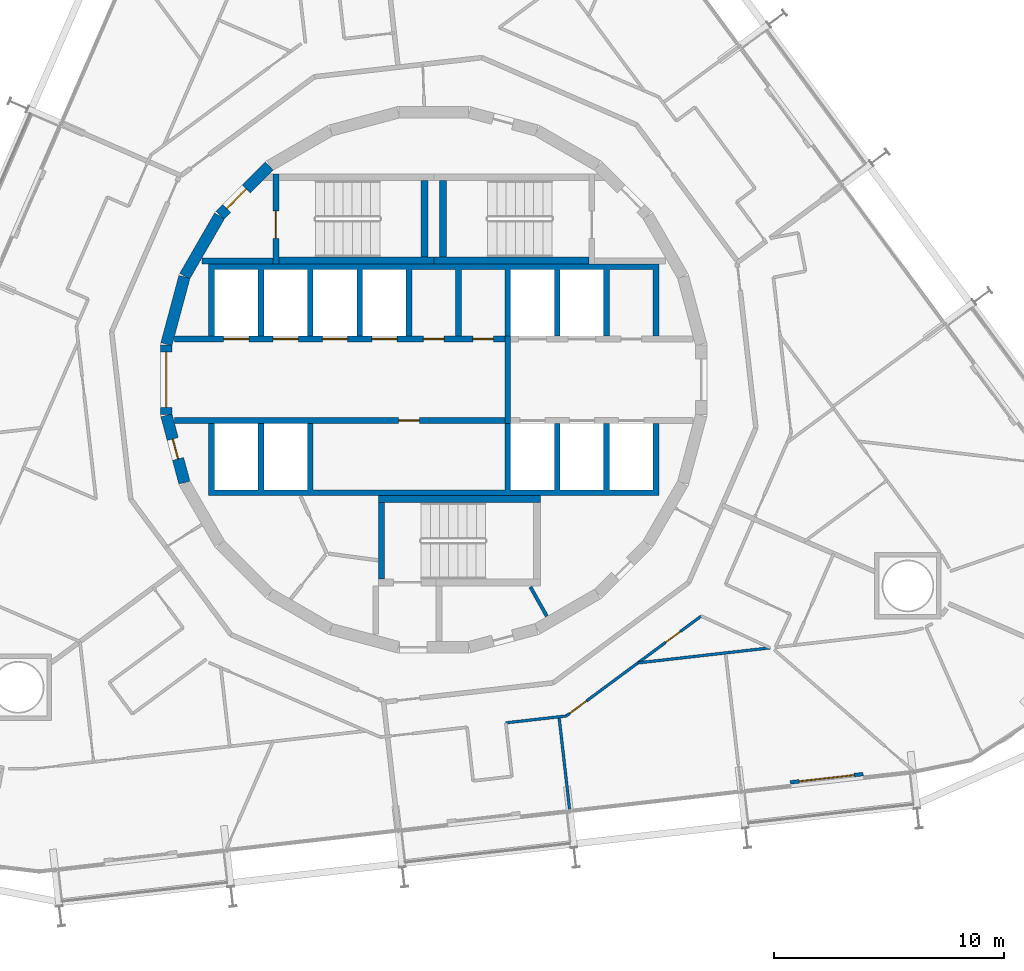
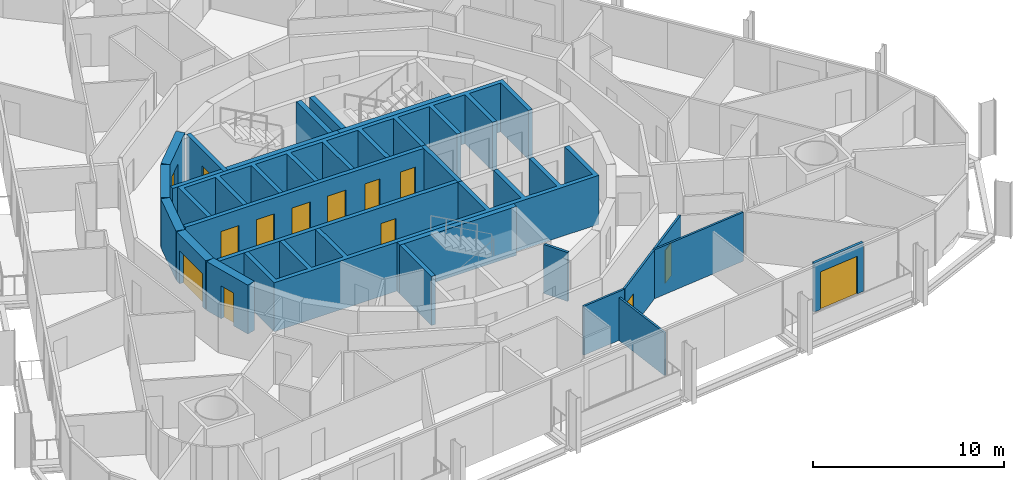
# One storey, part 18 of 24: 24 walls, 14 doors, 14 openings.
"""IFC4 building model written with IfcOpenShell, lengths in metres."""

from ifc_helpers import new_model, si_unit, direction, frame, frame_2d, origin, place, context, subcontext, project, spatial, polyline, rectangle, outline, extrude, material, layer, layer_set, type_object, element, fill, save


model = new_model("IFC4")

# Units and contexts
model_context = context("Model", 3, precision=1e-05, world=origin(), true_north=direction((0.0, 1.0)))
body_context = subcontext(model_context, "Body", "Model", "MODEL_VIEW")
ifc_project = project(units=[si_unit("LENGTHUNIT", "METRE"), si_unit("AREAUNIT", "SQUARE_METRE"), si_unit("VOLUMEUNIT", "CUBIC_METRE"), si_unit("PLANEANGLEUNIT", "RADIAN"), si_unit("MASSUNIT", "GRAM", prefix="KILO")], contexts=[model_context])

# Site, building, storey
site_placement = place(None, origin())
site = spatial("IfcSite", under=ifc_project, at=site_placement, CompositionType="ELEMENT")
building_placement = place(site_placement, origin())
building = spatial("IfcBuilding", under=site, at=building_placement, Name="Spindle Arch Residences", CompositionType="ELEMENT")
storey_placement = place(building_placement, frame((0.0, 0.0, 94.199951171875)))
storey = spatial("IfcBuildingStorey", under=building, at=storey_placement, Name="L22", CompositionType="ELEMENT", Elevation=94.199951171875)

# Wall, opening, door
ifc_material_1 = material(Name="Concrete C50/60", Category="concrete")
ifc_layer_1 = layer(ifc_material_1, 0.5)
ifc_layer_set_1 = layer_set([ifc_layer_1], Name="Core outline wall 500")
wall_type_1 = type_object("IfcWallType", Name="Core outline wall 500", PredefinedType="SHEAR", material=ifc_layer_set_1)
wall_1_placement = place(storey_placement, frame((-7.163818359375, 9.30810546875, 0.0), z_axis=(0.0, 0.0, 1.0), x_axis=(-0.707106781187, -0.707106781187, 0.0)))
wall_1 = element("IfcWall", 1, at=wall_1_placement, inside=storey, type_object=wall_type_1, Name="Core outline wall 15", PredefinedType="SHEAR", context=body_context, shape_type="SweptSolid", body=[
    extrude(rectangle(XDim=3.032470703125, YDim=0.5, at=frame_2d((1.51611328125, 0.0))), origin(), (0.0, 0.0, 1.0), 3.1201171875),
])
opening_1_placement = place(wall_1_placement, frame((1.416259765625, 0.0, 0.0)))
opening_1 = element("IfcOpeningElement", 2, at=opening_1_placement, cuts=wall_1, Name="Opening R2B1-AD02", PredefinedType="OPENING", context=body_context, shape_type="SweptSolid", body=[
    extrude(rectangle(XDim=1.199951171875, YDim=2.10009765625, at=frame_2d((0.60009765625, 1.050048828125))), frame((0.0, 0.260009765625, 0.0), z_axis=(0.0, -1.0, 0.0), x_axis=(1.0, 0.0, 0.0)), (0.0, 0.0, 1.0), 0.52001953125),
])
ifc_material_2 = material(Name="Steel, fire-resisting door", Category="steel")
door_type_1 = type_object("IfcDoorType", Name="Stair airlock door 1200x2100", OperationType="SINGLE_SWING_LEFT", PredefinedType="DOOR", material=ifc_material_2)
door_1_placement = place(opening_1_placement, origin())
door_1 = element("IfcDoor", 3, at=door_1_placement, inside=storey, type_object=door_type_1, Name="Stair airlock door R2B1-AD02", OperationType="SINGLE_SWING_RIGHT", OverallHeight=2.10009765625, OverallWidth=1.199951171875, PredefinedType="DOOR", context=body_context, shape_type="SweptSolid", body=[
    extrude(rectangle(XDim=1.199951171875, YDim=2.10009765625, at=frame_2d((0.60009765625, 1.050048828125))), frame((0.0, 0.02490234375, 0.0), z_axis=(0.0, -1.0, 0.0), x_axis=(1.0, 0.0, 0.0)), (0.0, 0.0, 1.0), 0.050048828125),
])
fill(opening_1, door_1)

# Walls
for number, where, z_axis, x_axis, name in (
    (4, (-9.32861328125, 7.13671875, 0.0), (0.0, 0.0, 1.0), (-0.500087131594, -0.865975092491, 0.0), "Core outline wall 16"),
    (5, (-10.858154296875, 4.479248046875, 0.0), (0.0, 0.0, 1.0), (-0.258734743916, -0.965948410781, 0.0), "Core outline wall 17"),
):
    element("IfcWall", number, at=place(storey_placement, frame(where, z_axis=z_axis, x_axis=x_axis)), inside=storey, type_object=wall_type_1, Name=name, PredefinedType="SHEAR", context=body_context, shape_type="SweptSolid", body=[
        extrude(rectangle(XDim=3.03271484375, YDim=0.5, at=frame_2d((1.516357421875, 0.0))), origin(), (0.0, 0.0, 1.0), 3.1201171875),
    ])

# Wall, opening, door
wall_2_placement = place(storey_placement, frame((-11.647216796875, 1.516357421875, 0.0), z_axis=(0.0, 0.0, 1.0), x_axis=(0.0, -1.0, 0.0)))
wall_2 = element("IfcWall", 6, at=wall_2_placement, inside=storey, type_object=wall_type_1, Name="Core outline wall 18", PredefinedType="SHEAR", context=body_context, shape_type="SweptSolid", body=[
    extrude(rectangle(XDim=3.03271484375, YDim=0.5, at=frame_2d((1.516357421875, 0.0))), origin(), (0.0, 0.0, 1.0), 3.1201171875),
])
opening_2_placement = place(wall_2_placement, frame((0.31640625, 0.0, 0.0)))
opening_2 = element("IfcOpeningElement", 7, at=opening_2_placement, cuts=wall_2, Name="Opening R2B1-LE01", PredefinedType="OPENING", context=body_context, shape_type="SweptSolid", body=[
    extrude(rectangle(XDim=2.39990234375, YDim=2.10009765625, at=frame_2d((1.199951171875, 1.050048828125))), frame((0.0, 0.260009765625, 0.0), z_axis=(0.0, -1.0, 0.0), x_axis=(1.0, 0.0, 0.0)), (0.0, 0.0, 1.0), 0.52001953125),
])
ifc_material_3 = material(Name="Steel, fire-resisting door", Category="steel")
door_type_2 = type_object("IfcDoorType", Name="Lift lobby entrance door 2400x2100", OperationType="DOUBLE_DOOR_SINGLE_SWING", PredefinedType="DOOR", material=ifc_material_3)
door_2_placement = place(opening_2_placement, origin())
door_2 = element("IfcDoor", 8, at=door_2_placement, inside=storey, type_object=door_type_2, Name="Lift lobby entrance door R2B1-LE01", OperationType="DOUBLE_DOOR_SINGLE_SWING", OverallHeight=2.10009765625, OverallWidth=2.39990234375, PredefinedType="DOOR", context=body_context, shape_type="SweptSolid", body=[
    extrude(rectangle(XDim=2.39990234375, YDim=2.10009765625, at=frame_2d((1.199951171875, 1.050048828125))), frame((0.0, 0.02490234375, 0.0), z_axis=(0.0, -1.0, 0.0), x_axis=(1.0, 0.0, 0.0)), (0.0, 0.0, 1.0), 0.050048828125),
])
fill(opening_2, door_2)

wall_3_placement = place(storey_placement, frame((-11.642822265625, -1.5498046875, 0.0), z_axis=(0.0, 0.0, 1.0), x_axis=(0.258734743916, -0.965948410781, 0.0)))
wall_3 = element("IfcWall", 9, at=wall_3_placement, inside=storey, type_object=wall_type_1, Name="Core outline wall 19", PredefinedType="SHEAR", context=body_context, shape_type="SweptSolid", body=[
    extrude(rectangle(XDim=3.03271484375, YDim=0.5, at=frame_2d((1.516357421875, 0.0))), origin(), (0.0, 0.0, 1.0), 3.1201171875),
])
opening_3_placement = place(wall_3_placement, frame((1.06640625, 0.0, 0.0)))
opening_3 = element("IfcOpeningElement", 10, at=opening_3_placement, cuts=wall_3, Name="Opening R2B1-WD09", PredefinedType="OPENING", context=body_context, shape_type="SweptSolid", body=[
    extrude(rectangle(XDim=0.89990234375, YDim=2.10009765625, at=frame_2d((0.449951171875, 1.050048828125))), frame((0.0, 0.260009765625, 0.0), z_axis=(0.0, -1.0, 0.0), x_axis=(1.0, 0.0, 0.0)), (0.0, 0.0, 1.0), 0.52001953125),
])
ifc_material_4 = material(Name="Steel, fire-resisting door", Category="steel")
door_type_3 = type_object("IfcDoorType", Name="Service room door 900x2100", OperationType="SINGLE_SWING_LEFT", PredefinedType="DOOR", material=ifc_material_4)
door_3_placement = place(opening_3_placement, origin())
door_3 = element("IfcDoor", 11, at=door_3_placement, inside=storey, type_object=door_type_3, Name="Service room door R2B1-WD09", OperationType="SINGLE_SWING_RIGHT", OverallHeight=2.10009765625, OverallWidth=0.89990234375, PredefinedType="DOOR", context=body_context, shape_type="SweptSolid", body=[
    extrude(rectangle(XDim=0.89990234375, YDim=2.10009765625, at=frame_2d((0.449951171875, 1.050048828125))), frame((0.0, 0.02490234375, 0.0), z_axis=(0.0, -1.0, 0.0), x_axis=(1.0, 0.0, 0.0)), (0.0, 0.0, 1.0), 0.050048828125),
])
fill(opening_3, door_3)

# Walls
ifc_material_5 = material(Name="Concrete C40/50", Category="concrete")
ifc_layer_2 = layer(ifc_material_5, 0.25)
ifc_layer_set_2 = layer_set([ifc_layer_2], Name="Fire-lift lobby wall 250")
wall_type_2 = type_object("IfcWallType", Name="Fire-lift lobby wall 250", PredefinedType="SHEAR", material=ifc_layer_set_2)
wall_4_placement = place(storey_placement, frame((3.22509765625, -1.89990234375, 0.0), z_axis=(0.0, 0.0, 1.0), x_axis=(0.0, 1.0, 0.0)))
element("IfcWall", 12, at=wall_4_placement, inside=storey, type_object=wall_type_2, Name="Fire-fighting lobby partition", PredefinedType="SHEAR", context=body_context, shape_type="SweptSolid", body=[
    extrude(rectangle(XDim=3.7998046875, YDim=0.25, at=frame_2d((1.89990234375, 0.0))), origin(), (0.0, 0.0, 1.0), 3.1201171875),
])
ifc_material_6 = material(Name="Plasterboard on steel studs", Category="steel")
ifc_layer_3 = layer(ifc_material_6, 0.1201171875)
ifc_layer_set_3 = layer_set([ifc_layer_3], Name="Flat partition 120")
wall_type_3 = type_object("IfcWallType", Name="Flat partition 120", PredefinedType="PARTITIONING", material=ifc_layer_set_3)
wall_5_placement = place(storey_placement, frame((3.1376953125, -14.94091796875, 0.0), z_axis=(0.0, 0.0, 1.0), x_axis=(0.99356355736, 0.113276023437, 0.0)))
element("IfcWall", 13, at=wall_5_placement, inside=storey, type_object=wall_type_3, Name="Flat partition R2B1-W096", PredefinedType="PARTITIONING", context=body_context, shape_type="SweptSolid", body=[
    extrude(rectangle(XDim=2.646728515625, YDim=0.1201171875, at=frame_2d((1.3232421875, 0.0))), origin(), (0.0, 0.0, 1.0), 3.1201171875),
])

# Wall, openings, doors
wall_6_placement = place(storey_placement, frame((5.767333984375, -14.64111328125, 0.0), z_axis=(0.0, 0.0, 1.0), x_axis=(0.803867427863, 0.594808505673, 0.0)))
wall_6 = element("IfcWall", 14, at=wall_6_placement, inside=storey, type_object=wall_type_3, Name="Flat partition R2B1-W097", PredefinedType="PARTITIONING", context=body_context, shape_type="SweptSolid", body=[
    extrude(rectangle(XDim=7.31640625, YDim=0.1201171875, at=frame_2d((3.658203125, 0.0))), origin(), (0.0, 0.0, 1.0), 3.1201171875),
])
opening_4_placement = place(wall_6_placement, frame((0.199951171875, 0.0, 0.0)))
opening_4 = element("IfcOpeningElement", 15, at=opening_4_placement, cuts=wall_6, Name="Opening R2B1-ID26", PredefinedType="OPENING", context=body_context, shape_type="SweptSolid", body=[
    extrude(rectangle(XDim=0.89990234375, YDim=2.10009765625, at=frame_2d((0.449951171875, 1.050048828125))), frame((0.0, 0.070068359375, 0.0), z_axis=(0.0, -1.0, 0.0), x_axis=(1.0, 0.0, 0.0)), (0.0, 0.0, 1.0), 0.14013671875),
])
opening_5_placement = place(wall_6_placement, frame((5.385009765625, 0.0, 0.0)))
opening_5 = element("IfcOpeningElement", 16, at=opening_5_placement, cuts=wall_6, Name="Opening R2B1-BD05", PredefinedType="OPENING", context=body_context, shape_type="SweptSolid", body=[
    extrude(rectangle(XDim=0.800048828125, YDim=2.10009765625, at=frame_2d((0.39990234375, 1.050048828125))), frame((0.0, 0.070068359375, 0.0), z_axis=(0.0, -1.0, 0.0), x_axis=(1.0, 0.0, 0.0)), (0.0, 0.0, 1.0), 0.14013671875),
])
ifc_material_7 = material(Name="Timber door set", Category="wood")
door_type_4 = type_object("IfcDoorType", Name="Bathroom door 800x2100", OperationType="NOTDEFINED", PredefinedType="DOOR", material=ifc_material_7)
door_4_placement = place(opening_5_placement, origin())
door_4 = element("IfcDoor", 17, at=door_4_placement, inside=storey, type_object=door_type_4, Name="Bathroom door R2B1-BD05", OperationType="SINGLE_SWING_RIGHT", OverallHeight=2.10009765625, OverallWidth=0.800048828125, PredefinedType="DOOR", context=body_context, shape_type="SweptSolid", body=[
    extrude(rectangle(XDim=0.800048828125, YDim=2.10009765625, at=frame_2d((0.39990234375, 1.050048828125))), frame((0.0, 0.02490234375, 0.0), z_axis=(0.0, -1.0, 0.0), x_axis=(1.0, 0.0, 0.0)), (0.0, 0.0, 1.0), 0.050048828125),
])
fill(opening_5, door_4)
ifc_material_8 = material(Name="Timber door set", Category="wood")
door_type_5 = type_object("IfcDoorType", Name="Room door 900x2100", OperationType="NOTDEFINED", PredefinedType="DOOR", material=ifc_material_8)
door_5_placement = place(opening_4_placement, origin())
door_5 = element("IfcDoor", 18, at=door_5_placement, inside=storey, type_object=door_type_5, Name="Room door R2B1-ID26", OperationType="SINGLE_SWING_RIGHT", OverallHeight=2.10009765625, OverallWidth=0.89990234375, PredefinedType="DOOR", context=body_context, shape_type="SweptSolid", body=[
    extrude(rectangle(XDim=0.89990234375, YDim=2.10009765625, at=frame_2d((0.449951171875, 1.050048828125))), frame((0.0, 0.02490234375, 0.0), z_axis=(0.0, -1.0, 0.0), x_axis=(1.0, 0.0, 0.0)), (0.0, 0.0, 1.0), 0.050048828125),
])
fill(opening_4, door_5)

# Walls
wall_7_placement = place(storey_placement, frame((14.64892578125, -11.67431640625, 0.0), z_axis=(0.0, 0.0, 1.0), x_axis=(-0.993573746873, -0.113186613721, 0.0)))
element("IfcWall", 19, at=wall_7_placement, inside=storey, type_object=wall_type_3, Name="Flat partition R2B1-W103", PredefinedType="PARTITIONING", context=body_context, shape_type="SweptSolid", body=[
    extrude(rectangle(XDim=5.7958984375, YDim=0.1201171875, at=frame_2d((2.89794921875, 0.0))), origin(), (0.0, 0.0, 1.0), 3.1201171875),
])
ifc_material_9 = material(Name="Plasterboard on steel studs", Category="steel")
ifc_layer_4 = layer(ifc_material_9, 0.1201171875)
ifc_layer_set_4 = layer_set([ifc_layer_4], Name="Flat partition 120 under beam 2730")
wall_type_4 = type_object("IfcWallType", Name="Flat partition 120 under beam 2730", PredefinedType="PARTITIONING", material=ifc_layer_set_4)
wall_8_placement = place(storey_placement, frame((5.915283203125, -18.7080078125, 0.0), z_axis=(0.0, 0.0, 1.0), x_axis=(-0.113244511591, 0.993567149515, 0.0)))
element("IfcWall", 20, at=wall_8_placement, inside=storey, type_object=wall_type_4, Name="Flat partition R2B1-W102", PredefinedType="PARTITIONING", context=body_context, shape_type="SweptSolid", body=[
    extrude(rectangle(XDim=4.057373046875, YDim=0.1201171875, at=frame_2d((2.02880859375, 0.0))), origin(), (0.0, 0.0, 1.0), 2.72998046875),
])

# Wall, opening, door
ifc_material_10 = material(Name="Non-combustible mineral wool insulated aluminium faced external wall (K0)", Category="aluminium")
ifc_layer_5 = layer(ifc_material_10, 0.159912109375)
ifc_layer_set_5 = layer_set([ifc_layer_5], Name="Insulated external wall panel 160")
wall_type_5 = type_object("IfcWallType", Name="Insulated external wall panel 160", PredefinedType="STANDARD", material=ifc_layer_set_5)
wall_9_placement = place(storey_placement, frame((15.522216796875, -17.532958984375, 0.0), z_axis=(0.0, 0.0, 1.0), x_axis=(0.993578576686, 0.113144208648, 0.0)))
wall_9 = element("IfcWall", 21, at=wall_9_placement, inside=storey, type_object=wall_type_5, Name="External wall L22 bay 2", PredefinedType="STANDARD", context=body_context, shape_type="SweptSolid", body=[
    extrude(rectangle(XDim=3.199951171875, YDim=0.159912109375, at=frame_2d((1.60009765625, 0.0))), origin(), (0.0, 0.0, 1.0), 3.1201171875),
])
opening_6_placement = place(wall_9_placement, frame((0.39990234375, 0.0, 0.0)))
opening_6 = element("IfcOpeningElement", 22, at=opening_6_placement, cuts=wall_9, Name="Opening BD02", PredefinedType="OPENING", context=body_context, shape_type="SweptSolid", body=[
    extrude(rectangle(XDim=2.39990234375, YDim=2.39990234375, at=frame_2d((1.199951171875, 1.199951171875))), frame((0.0, 0.08984375, 0.0), z_axis=(0.0, -1.0, 0.0), x_axis=(1.0, 0.0, 0.0)), (0.0, 0.0, 1.0), 0.179931640625),
])
ifc_material_11 = material(Name="Bronze aluminium frame, tinted double glazing", Category="aluminium")
door_type_6 = type_object("IfcDoorType", Name="Sliding glazed balcony door 2400x2400", OperationType="DOUBLE_DOOR_SLIDING", PredefinedType="DOOR", material=ifc_material_11)
door_6_placement = place(opening_6_placement, origin())
door_6 = element("IfcDoor", 23, at=door_6_placement, inside=storey, type_object=door_type_6, Name="Balcony door BD02", OperationType="DOUBLE_DOOR_SLIDING", OverallHeight=2.39990234375, OverallWidth=2.39990234375, PredefinedType="DOOR", context=body_context, shape_type="SweptSolid", body=[
    extrude(rectangle(XDim=2.39990234375, YDim=2.39990234375, at=frame_2d((1.199951171875, 1.199951171875))), frame((0.0, 0.02490234375, 0.0), z_axis=(0.0, -1.0, 0.0), x_axis=(1.0, 0.0, 0.0)), (0.0, 0.0, 1.0), 0.050048828125),
])
fill(opening_6, door_6)

# Wall, openings, doors
ifc_material_12 = material(Name="Concrete C50/60", Category="concrete")
ifc_layer_6 = layer(ifc_material_12, 0.25)
ifc_layer_set_6 = layer_set([ifc_layer_6], Name="Lift shaft wall 250")
wall_type_6 = type_object("IfcWallType", Name="Lift shaft wall 250", PredefinedType="SHEAR", material=ifc_layer_set_6)
wall_10_placement = place(storey_placement, frame((-11.280029296875, 1.77490234375, 0.0), z_axis=(0.0, 0.0, 1.0), x_axis=(1.0, 0.0, 0.0)))
wall_10 = element("IfcWall", 24, at=wall_10_placement, inside=storey, type_object=wall_type_6, Name="Lift shaft front wall NW", PredefinedType="SHEAR", context=body_context, shape_type="SweptSolid", body=[
    extrude(rectangle(XDim=14.380126953125, YDim=0.25, at=frame_2d((7.18994140625, 0.0))), origin(), (0.0, 0.0, 1.0), 3.1201171875),
])
opening_7_placement = place(wall_10_placement, frame((2.1298828125, 0.0, 0.0)))
opening_7 = element("IfcOpeningElement", 25, at=opening_7_placement, cuts=wall_10, Name="Opening R2B1-LD01", PredefinedType="OPENING", context=body_context, shape_type="SweptSolid", body=[
    extrude(rectangle(XDim=1.10009765625, YDim=2.10009765625, at=frame_2d((0.550048828125, 1.050048828125))), frame((0.0, 0.135009765625, 0.0), z_axis=(0.0, -1.0, 0.0), x_axis=(1.0, 0.0, 0.0)), (0.0, 0.0, 1.0), 0.27001953125),
])
opening_8_placement = place(wall_10_placement, frame((4.280029296875, 0.0, 0.0)))
opening_8 = element("IfcOpeningElement", 26, at=opening_8_placement, cuts=wall_10, Name="Opening R2B1-LD02", PredefinedType="OPENING", context=body_context, shape_type="SweptSolid", body=[
    extrude(rectangle(XDim=1.10009765625, YDim=2.10009765625, at=frame_2d((0.550048828125, 1.050048828125))), frame((0.0, 0.135009765625, 0.0), z_axis=(0.0, -1.0, 0.0), x_axis=(1.0, 0.0, 0.0)), (0.0, 0.0, 1.0), 0.27001953125),
])
opening_9_placement = place(wall_10_placement, frame((6.429931640625, 0.0, 0.0)))
opening_9 = element("IfcOpeningElement", 27, at=opening_9_placement, cuts=wall_10, Name="Opening R2B1-LD03", PredefinedType="OPENING", context=body_context, shape_type="SweptSolid", body=[
    extrude(rectangle(XDim=1.10009765625, YDim=2.10009765625, at=frame_2d((0.550048828125, 1.050048828125))), frame((0.0, 0.135009765625, 0.0), z_axis=(0.0, -1.0, 0.0), x_axis=(1.0, 0.0, 0.0)), (0.0, 0.0, 1.0), 0.27001953125),
])
opening_10_placement = place(wall_10_placement, frame((8.580078125, 0.0, 0.0)))
opening_10 = element("IfcOpeningElement", 28, at=opening_10_placement, cuts=wall_10, Name="Opening R2B1-LD04", PredefinedType="OPENING", context=body_context, shape_type="SweptSolid", body=[
    extrude(rectangle(XDim=1.10009765625, YDim=2.10009765625, at=frame_2d((0.550048828125, 1.050048828125))), frame((0.0, 0.135009765625, 0.0), z_axis=(0.0, -1.0, 0.0), x_axis=(1.0, 0.0, 0.0)), (0.0, 0.0, 1.0), 0.27001953125),
])
opening_11_placement = place(wall_10_placement, frame((10.830078125, 0.0, 0.0)))
opening_11 = element("IfcOpeningElement", 29, at=opening_11_placement, cuts=wall_10, Name="Opening R2B1-WD01", PredefinedType="OPENING", context=body_context, shape_type="SweptSolid", body=[
    extrude(rectangle(XDim=0.89990234375, YDim=2.10009765625, at=frame_2d((0.449951171875, 1.050048828125))), frame((0.0, 0.135009765625, 0.0), z_axis=(0.0, -1.0, 0.0), x_axis=(1.0, 0.0, 0.0)), (0.0, 0.0, 1.0), 0.27001953125),
])
opening_12_placement = place(wall_10_placement, frame((12.97998046875, 0.0, 0.0)))
opening_12 = element("IfcOpeningElement", 30, at=opening_12_placement, cuts=wall_10, Name="Opening R2B1-WD02", PredefinedType="OPENING", context=body_context, shape_type="SweptSolid", body=[
    extrude(rectangle(XDim=0.89990234375, YDim=2.10009765625, at=frame_2d((0.449951171875, 1.050048828125))), frame((0.0, 0.135009765625, 0.0), z_axis=(0.0, -1.0, 0.0), x_axis=(1.0, 0.0, 0.0)), (0.0, 0.0, 1.0), 0.27001953125),
])
ifc_material_13 = material(Name="Steel, fire-resisting landing door", Category="steel")
door_type_7 = type_object("IfcDoorType", Name="Lift landing door 1100x2100", OperationType="DOUBLE_DOOR_SLIDING", PredefinedType="DOOR", material=ifc_material_13)
door_7_placement = place(opening_7_placement, origin())
door_7 = element("IfcDoor", 31, at=door_7_placement, inside=storey, type_object=door_type_7, Name="Lift landing door R2B1-LD01", OperationType="DOUBLE_DOOR_SLIDING", OverallHeight=2.10009765625, OverallWidth=1.10009765625, PredefinedType="DOOR", context=body_context, shape_type="SweptSolid", body=[
    extrude(rectangle(XDim=1.10009765625, YDim=2.10009765625, at=frame_2d((0.550048828125, 1.050048828125))), frame((0.0, 0.02490234375, 0.0), z_axis=(0.0, -1.0, 0.0), x_axis=(1.0, 0.0, 0.0)), (0.0, 0.0, 1.0), 0.050048828125),
])
fill(opening_7, door_7)
door_8_placement = place(opening_8_placement, origin())
door_8 = element("IfcDoor", 32, at=door_8_placement, inside=storey, type_object=door_type_7, Name="Lift landing door R2B1-LD02", OperationType="DOUBLE_DOOR_SLIDING", OverallHeight=2.10009765625, OverallWidth=1.10009765625, PredefinedType="DOOR", context=body_context, shape_type="SweptSolid", body=[
    extrude(rectangle(XDim=1.10009765625, YDim=2.10009765625, at=frame_2d((0.550048828125, 1.050048828125))), frame((0.0, 0.02490234375, 0.0), z_axis=(0.0, -1.0, 0.0), x_axis=(1.0, 0.0, 0.0)), (0.0, 0.0, 1.0), 0.050048828125),
])
fill(opening_8, door_8)
door_9_placement = place(opening_9_placement, origin())
door_9 = element("IfcDoor", 33, at=door_9_placement, inside=storey, type_object=door_type_7, Name="Lift landing door R2B1-LD03", OperationType="DOUBLE_DOOR_SLIDING", OverallHeight=2.10009765625, OverallWidth=1.10009765625, PredefinedType="DOOR", context=body_context, shape_type="SweptSolid", body=[
    extrude(rectangle(XDim=1.10009765625, YDim=2.10009765625, at=frame_2d((0.550048828125, 1.050048828125))), frame((0.0, 0.02490234375, 0.0), z_axis=(0.0, -1.0, 0.0), x_axis=(1.0, 0.0, 0.0)), (0.0, 0.0, 1.0), 0.050048828125),
])
fill(opening_9, door_9)
door_10_placement = place(opening_10_placement, origin())
door_10 = element("IfcDoor", 34, at=door_10_placement, inside=storey, type_object=door_type_7, Name="Lift landing door R2B1-LD04", OperationType="DOUBLE_DOOR_SLIDING", OverallHeight=2.10009765625, OverallWidth=1.10009765625, PredefinedType="DOOR", context=body_context, shape_type="SweptSolid", body=[
    extrude(rectangle(XDim=1.10009765625, YDim=2.10009765625, at=frame_2d((0.550048828125, 1.050048828125))), frame((0.0, 0.02490234375, 0.0), z_axis=(0.0, -1.0, 0.0), x_axis=(1.0, 0.0, 0.0)), (0.0, 0.0, 1.0), 0.050048828125),
])
fill(opening_10, door_10)
door_11_placement = place(opening_11_placement, origin())
door_11 = element("IfcDoor", 35, at=door_11_placement, inside=storey, type_object=door_type_3, Name="Service room door R2B1-WD01", OperationType="SINGLE_SWING_RIGHT", OverallHeight=2.10009765625, OverallWidth=0.89990234375, PredefinedType="DOOR", context=body_context, shape_type="SweptSolid", body=[
    extrude(rectangle(XDim=0.89990234375, YDim=2.10009765625, at=frame_2d((0.449951171875, 1.050048828125))), frame((0.0, 0.02490234375, 0.0), z_axis=(0.0, -1.0, 0.0), x_axis=(1.0, 0.0, 0.0)), (0.0, 0.0, 1.0), 0.050048828125),
])
fill(opening_11, door_11)
door_12_placement = place(opening_12_placement, origin())
door_12 = element("IfcDoor", 36, at=door_12_placement, inside=storey, type_object=door_type_3, Name="Service room door R2B1-WD02", OperationType="SINGLE_SWING_LEFT", OverallHeight=2.10009765625, OverallWidth=0.89990234375, PredefinedType="DOOR", context=body_context, shape_type="SweptSolid", body=[
    extrude(rectangle(XDim=0.89990234375, YDim=2.10009765625, at=frame_2d((0.449951171875, 1.050048828125))), frame((0.0, 0.02490234375, 0.0), z_axis=(0.0, -1.0, 0.0), x_axis=(1.0, 0.0, 0.0)), (0.0, 0.0, 1.0), 0.050048828125),
])
fill(opening_12, door_12)

# Wall, opening, door
wall_11_placement = place(storey_placement, frame((-11.280029296875, -1.77490234375, 0.0), z_axis=(0.0, 0.0, 1.0), x_axis=(1.0, 0.0, 0.0)))
wall_11 = element("IfcWall", 37, at=wall_11_placement, inside=storey, type_object=wall_type_6, Name="Lift shaft front wall SW", PredefinedType="SHEAR", context=body_context, shape_type="SweptSolid", body=[
    extrude(rectangle(XDim=14.380126953125, YDim=0.25, at=frame_2d((7.18994140625, 0.0))), origin(), (0.0, 0.0, 1.0), 3.1201171875),
])
opening_13_placement = place(wall_11_placement, frame((9.7548828125, 0.0, 0.0)))
opening_13 = element("IfcOpeningElement", 38, at=opening_13_placement, cuts=wall_11, Name="Opening R2B1-WD04", PredefinedType="OPENING", context=body_context, shape_type="SweptSolid", body=[
    extrude(rectangle(XDim=0.89990234375, YDim=2.10009765625, at=frame_2d((0.449951171875, 1.050048828125))), frame((0.0, 0.135009765625, 0.0), z_axis=(0.0, -1.0, 0.0), x_axis=(1.0, 0.0, 0.0)), (0.0, 0.0, 1.0), 0.27001953125),
])
door_13_placement = place(opening_13_placement, origin())
door_13 = element("IfcDoor", 39, at=door_13_placement, inside=storey, type_object=door_type_3, Name="Service room door R2B1-WD04", OperationType="SINGLE_SWING_LEFT", OverallHeight=2.10009765625, OverallWidth=0.89990234375, PredefinedType="DOOR", context=body_context, shape_type="SweptSolid", body=[
    extrude(rectangle(XDim=0.89990234375, YDim=2.10009765625, at=frame_2d((0.449951171875, 1.050048828125))), frame((0.0, 0.02490234375, 0.0), z_axis=(0.0, -1.0, 0.0), x_axis=(1.0, 0.0, 0.0)), (0.0, 0.0, 1.0), 0.050048828125),
])
fill(opening_13, door_13)

# Walls
ifc_material_14 = material(Name="Concrete C50/60", Category="concrete")
wall_type_7 = type_object("IfcWallType", Name="Lift shaft wall profile", PredefinedType="SHEAR", material=ifc_material_14)
wall_12_placement = place(storey_placement, origin())
element("IfcWall", 40, at=wall_12_placement, inside=storey, type_object=wall_type_7, Name="Lift shaft walls N", PredefinedType="SHEAR", context=body_context, shape_type="SweptSolid", body=[
    extrude(outline(polyline([(-9.550048828125, 4.800048828125), (-7.64990234375, 4.800048828125), (-7.64990234375, 1.89990234375), (-7.39990234375, 1.89990234375), (-7.39990234375, 4.800048828125), (-5.5, 4.800048828125), (-5.5, 1.89990234375), (-5.25, 1.89990234375), (-5.25, 4.800048828125), (-3.35009765625, 4.800048828125), (-3.35009765625, 1.89990234375), (-3.10009765625, 1.89990234375), (-3.10009765625, 4.800048828125), (-1.199951171875, 4.800048828125), (-1.199951171875, 1.89990234375), (-0.949951171875, 1.89990234375), (-0.949951171875, 4.800048828125), (0.949951171875, 4.800048828125), (0.949951171875, 1.89990234375), (1.199951171875, 1.89990234375), (1.199951171875, 4.800048828125), (3.10009765625, 4.800048828125), (3.10009765625, 1.89990234375), (3.35009765625, 1.89990234375), (3.35009765625, 4.800048828125), (5.25, 4.800048828125), (5.25, 1.89990234375), (5.5, 1.89990234375), (5.5, 4.800048828125), (7.39990234375, 4.800048828125), (7.39990234375, 1.89990234375), (7.64990234375, 1.89990234375), (7.64990234375, 4.800048828125), (9.550048828125, 4.800048828125), (9.550048828125, 1.89990234375), (9.800048828125, 1.89990234375), (9.800048828125, 4.800048828125), (9.800048828125, 5.050048828125), (-9.800048828125, 5.050048828125), (-9.800048828125, 4.800048828125), (-9.800048828125, 1.89990234375), (-9.550048828125, 1.89990234375), (-9.550048828125, 4.800048828125)])), origin(), (0.0, 0.0, 1.0), 3.1201171875),
])
wall_13_placement = place(storey_placement, origin())
element("IfcWall", 41, at=wall_13_placement, inside=storey, type_object=wall_type_7, Name="Lift shaft walls S", PredefinedType="SHEAR", context=body_context, shape_type="SweptSolid", body=[
    extrude(outline(polyline([(9.800048828125, -5.050048828125), (9.800048828125, -4.800048828125), (9.800048828125, -1.89990234375), (9.550048828125, -1.89990234375), (9.550048828125, -4.800048828125), (7.64990234375, -4.800048828125), (7.64990234375, -1.89990234375), (7.39990234375, -1.89990234375), (7.39990234375, -4.800048828125), (5.5, -4.800048828125), (5.5, -1.89990234375), (5.25, -1.89990234375), (5.25, -4.800048828125), (3.35009765625, -4.800048828125), (3.35009765625, -1.89990234375), (3.10009765625, -1.89990234375), (3.10009765625, -4.800048828125), (-5.25, -4.800048828125), (-5.25, -1.89990234375), (-5.5, -1.89990234375), (-5.5, -4.800048828125), (-7.39990234375, -4.800048828125), (-7.39990234375, -1.89990234375), (-7.64990234375, -1.89990234375), (-7.64990234375, -4.800048828125), (-9.550048828125, -4.800048828125), (-9.550048828125, -1.89990234375), (-9.800048828125, -1.89990234375), (-9.800048828125, -4.800048828125), (-9.800048828125, -5.050048828125), (9.800048828125, -5.050048828125)])), origin(), (0.0, 0.0, 1.0), 3.1201171875),
])
ifc_material_15 = material(Name="Concrete C25/30", Category="concrete")
ifc_layer_7 = layer(ifc_material_15, 0.14990234375)
ifc_layer_set_7 = layer_set([ifc_layer_7], Name="Service room partition 150")
wall_type_8 = type_object("IfcWallType", Name="Service room partition 150", PredefinedType="PARTITIONING", material=ifc_layer_set_7)
wall_14_placement = place(storey_placement, frame((4.922119140625, -10.295654296875, 0.0), z_axis=(0.0, 0.0, 1.0), x_axis=(-0.48860846254, 0.872503163509, 0.0)))
element("IfcWall", 42, at=wall_14_placement, inside=storey, type_object=wall_type_8, Name="Core service room partition", PredefinedType="PARTITIONING", context=body_context, shape_type="SweptSolid", body=[
    extrude(rectangle(XDim=1.45947265625, YDim=0.14990234375, at=frame_2d((0.729736328125, 0.0))), origin(), (0.0, 0.0, 1.0), 3.1201171875),
])
ifc_material_16 = material(Name="Concrete C40/50", Category="concrete")
ifc_layer_8 = layer(ifc_material_16, 0.25)
ifc_layer_set_8 = layer_set([ifc_layer_8], Name="Stair airlock wall 250")
wall_type_9 = type_object("IfcWallType", Name="Stair airlock wall 250", PredefinedType="SHEAR", material=ifc_layer_set_8)
wall_15_placement = place(storey_placement, frame((-7.0, 5.175048828125, 0.0), z_axis=(0.0, 0.0, 1.0), x_axis=(-1.0, 0.0, 0.0)))
element("IfcWall", 43, at=wall_15_placement, inside=storey, type_object=wall_type_9, Name="Stair ST-2 airlock wall S", PredefinedType="SHEAR", context=body_context, shape_type="SweptSolid", body=[
    extrude(rectangle(XDim=3.10009765625, YDim=0.25, at=frame_2d((1.550048828125, 0.0))), origin(), (0.0, 0.0, 1.0), 3.1201171875),
])

# Wall, opening, door
ifc_material_17 = material(Name="Concrete C50/60", Category="concrete")
ifc_layer_9 = layer(ifc_material_17, 0.25)
ifc_layer_set_9 = layer_set([ifc_layer_9], Name="Stair enclosure wall 250")
wall_type_10 = type_object("IfcWallType", Name="Stair enclosure wall 250", PredefinedType="SHEAR", material=ifc_layer_set_9)
wall_16_placement = place(storey_placement, frame((-6.875, 8.969970703125, 0.0), z_axis=(0.0, 0.0, 1.0), x_axis=(0.0, -1.0, 0.0)))
wall_16 = element("IfcWall", 44, at=wall_16_placement, inside=storey, type_object=wall_type_10, Name="Stair ST-2 door wall", PredefinedType="SHEAR", context=body_context, shape_type="SweptSolid", body=[
    extrude(rectangle(XDim=3.919921875, YDim=0.25, at=frame_2d((1.9599609375, 0.0))), origin(), (0.0, 0.0, 1.0), 3.1201171875),
])
opening_14_placement = place(wall_16_placement, frame((1.610107421875, 0.0, 0.0)))
opening_14 = element("IfcOpeningElement", 45, at=opening_14_placement, cuts=wall_16, Name="Opening R2B1-SD02", PredefinedType="OPENING", context=body_context, shape_type="SweptSolid", body=[
    extrude(rectangle(XDim=1.199951171875, YDim=2.10009765625, at=frame_2d((0.60009765625, 1.050048828125))), frame((0.0, 0.135009765625, 0.0), z_axis=(0.0, -1.0, 0.0), x_axis=(1.0, 0.0, 0.0)), (0.0, 0.0, 1.0), 0.27001953125),
])
ifc_material_18 = material(Name="Steel, fire-resisting door", Category="steel")
door_type_8 = type_object("IfcDoorType", Name="Stair door 1200x2100", OperationType="SINGLE_SWING_RIGHT", PredefinedType="DOOR", material=ifc_material_18)
door_14_placement = place(opening_14_placement, origin())
door_14 = element("IfcDoor", 46, at=door_14_placement, inside=storey, type_object=door_type_8, Name="Stair door R2B1-SD02", OperationType="SINGLE_SWING_LEFT", OverallHeight=2.10009765625, OverallWidth=1.199951171875, PredefinedType="DOOR", context=body_context, shape_type="SweptSolid", body=[
    extrude(rectangle(XDim=1.199951171875, YDim=2.10009765625, at=frame_2d((0.60009765625, 1.050048828125))), frame((0.0, 0.02490234375, 0.0), z_axis=(0.0, -1.0, 0.0), x_axis=(1.0, 0.0, 0.0)), (0.0, 0.0, 1.0), 0.050048828125),
])
fill(opening_14, door_14)

# Walls
wall_17_placement = place(storey_placement, frame((-2.27490234375, -8.669921875, 0.0), z_axis=(0.0, 0.0, 1.0), x_axis=(0.0, 1.0, 0.0)))
element("IfcWall", 47, at=wall_17_placement, inside=storey, type_object=wall_type_10, Name="Stair ST-3 enclosure wall W", PredefinedType="SHEAR", context=body_context, shape_type="SweptSolid", body=[
    extrude(rectangle(XDim=3.31982421875, YDim=0.25, at=frame_2d((1.659912109375, 0.0))), origin(), (0.0, 0.0, 1.0), 3.1201171875),
])
ifc_material_19 = material(Name="Concrete C50/60", Category="concrete")
ifc_layer_10 = layer(ifc_material_19, 0.300048828125)
ifc_layer_set_10 = layer_set([ifc_layer_10], Name="Stair enclosure wall 300")
wall_type_11 = type_object("IfcWallType", Name="Stair enclosure wall 300", PredefinedType="SHEAR", material=ifc_layer_set_10)
wall_18_placement = place(storey_placement, frame((0.0, 5.199951171875, 0.0), z_axis=(0.0, 0.0, 1.0), x_axis=(1.0, 0.0, 0.0)))
element("IfcWall", 48, at=wall_18_placement, inside=storey, type_object=wall_type_11, Name="Stair ST-1 enclosure wall S", PredefinedType="SHEAR", context=body_context, shape_type="SweptSolid", body=[
    extrude(rectangle(XDim=6.75, YDim=0.300048828125, at=frame_2d((3.375, 0.0))), origin(), (0.0, 0.0, 1.0), 3.1201171875),
])
wall_19_placement = place(storey_placement, frame((0.39990234375, 5.35009765625, 0.0), z_axis=(0.0, 0.0, 1.0), x_axis=(0.0, 1.0, 0.0)))
element("IfcWall", 49, at=wall_19_placement, inside=storey, type_object=wall_type_11, Name="Stair ST-1 enclosure wall F", PredefinedType="SHEAR", context=body_context, shape_type="SweptSolid", body=[
    extrude(rectangle(XDim=3.31982421875, YDim=0.300048828125, at=frame_2d((1.659912109375, 0.0))), origin(), (0.0, 0.0, 1.0), 3.1201171875),
])
wall_20_placement = place(storey_placement, frame((-6.75, 5.199951171875, 0.0), z_axis=(0.0, 0.0, 1.0), x_axis=(1.0, 0.0, 0.0)))
element("IfcWall", 50, at=wall_20_placement, inside=storey, type_object=wall_type_11, Name="Stair ST-2 enclosure wall S", PredefinedType="SHEAR", context=body_context, shape_type="SweptSolid", body=[
    extrude(rectangle(XDim=6.75, YDim=0.300048828125, at=frame_2d((3.375, 0.0))), origin(), (0.0, 0.0, 1.0), 3.1201171875),
])
wall_21_placement = place(storey_placement, frame((-0.39990234375, 5.35009765625, 0.0), z_axis=(0.0, 0.0, 1.0), x_axis=(0.0, 1.0, 0.0)))
element("IfcWall", 51, at=wall_21_placement, inside=storey, type_object=wall_type_11, Name="Stair ST-2 enclosure wall F", PredefinedType="SHEAR", context=body_context, shape_type="SweptSolid", body=[
    extrude(rectangle(XDim=3.31982421875, YDim=0.300048828125, at=frame_2d((1.659912109375, 0.0))), origin(), (0.0, 0.0, 1.0), 3.1201171875),
])
wall_22_placement = place(storey_placement, frame((-2.39990234375, -5.199951171875, 0.0), z_axis=(0.0, 0.0, 1.0), x_axis=(1.0, 0.0, 0.0)))
element("IfcWall", 52, at=wall_22_placement, inside=storey, type_object=wall_type_11, Name="Stair ST-3 enclosure wall N", PredefinedType="SHEAR", context=body_context, shape_type="SweptSolid", body=[
    extrude(rectangle(XDim=7.0498046875, YDim=0.300048828125, at=frame_2d((3.52490234375, 0.0))), origin(), (0.0, 0.0, 1.0), 3.1201171875),
])

save(model, "model.ifc")
